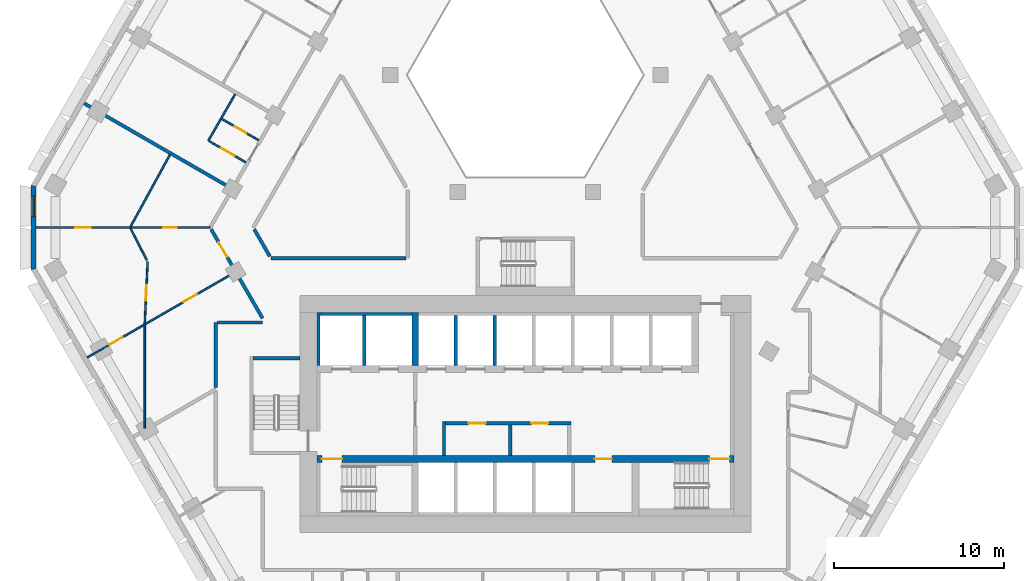
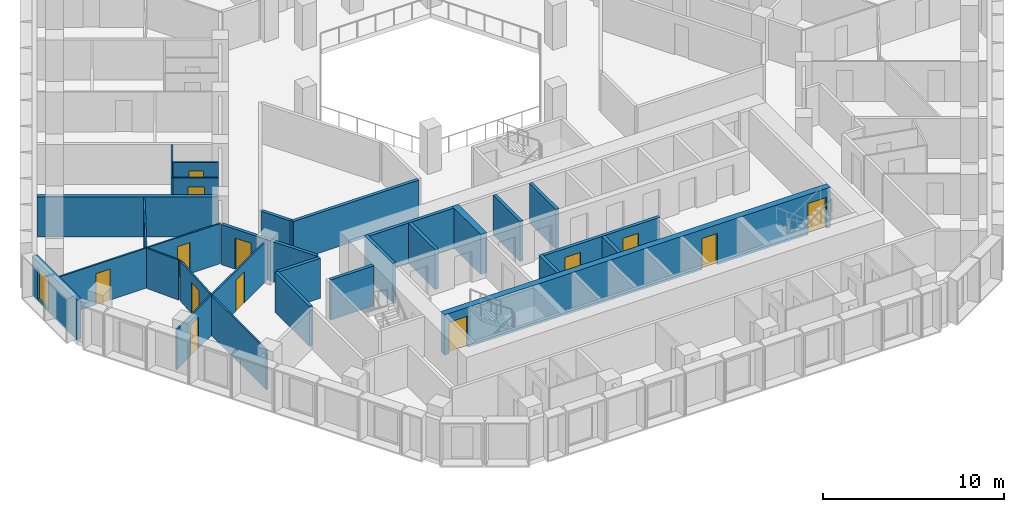
# One storey, part 4 of 15: 27 walls, 13 doors, 1 window, 14 openings.
"""IFC4 building model written with IfcOpenShell, lengths in metres."""

from ifc_helpers import new_model, si_unit, direction, frame, frame_2d, origin, place, context, subcontext, project, spatial, polyline, rectangle, outline, extrude, material, layer, layer_set, type_object, element, fill, save


model = new_model("IFC4")

# Units and contexts
model_context = context("Model", 3, precision=1e-05, world=origin(), true_north=direction((0.0, 1.0)))
body_context = subcontext(model_context, "Body", "Model", "MODEL_VIEW")
ifc_project = project(units=[si_unit("LENGTHUNIT", "METRE"), si_unit("AREAUNIT", "SQUARE_METRE"), si_unit("VOLUMEUNIT", "CUBIC_METRE"), si_unit("PLANEANGLEUNIT", "RADIAN"), si_unit("MASSUNIT", "GRAM", prefix="KILO")], contexts=[model_context])

# Site, building, storey
site_placement = place(None, origin())
site = spatial("IfcSite", under=ifc_project, at=site_placement, CompositionType="ELEMENT")
building_placement = place(site_placement, origin())
building = spatial("IfcBuilding", under=site, at=building_placement, Name="Beryl Residences", CompositionType="ELEMENT")
storey_placement = place(building_placement, frame((0.0, 0.0, 78.0)))
storey = spatial("IfcBuildingStorey", under=building, at=storey_placement, Name="L23", CompositionType="ELEMENT", Elevation=78.0)

# Wall, opening, window
ifc_material_1 = material(Name="Composite metal panel with mineral wool insulation")
ifc_layer_1 = layer(ifc_material_1, 0.300048828125)
ifc_layer_set_1 = layer_set([ifc_layer_1], Name="ES1 pale metal composite panel wall 300 mm")
wall_type_1 = type_object("IfcWallType", Name="ES1 pale metal composite panel wall 300 mm", PredefinedType="SOLIDWALL", material=ifc_layer_set_1)
wall_1_placement = place(storey_placement, frame((-29.007080078125, 1.5, 0.0), z_axis=(0.0, 0.0, 1.0), x_axis=(0.0, -1.0, 0.0)))
wall_1 = element("IfcWall", 1, at=wall_1_placement, inside=storey, type_object=wall_type_1, Name="ES1 external wall L23 NW-SW", PredefinedType="SOLIDWALL", context=body_context, shape_type="SweptSolid", body=[
    extrude(outline(polyline([(0.0, -0.14990234375), (5.0, -0.14990234375), (4.919677734375, 0.14990234375), (0.080322265625, 0.14990234375), (0.0, -0.14990234375)])), origin(), (0.0, 0.0, 1.0), 2.699951171875),
])
opening_1_placement = place(wall_1_placement, frame((0.64990234375, 0.0, 0.14990234375)))
opening_1 = element("IfcOpeningElement", 2, at=opening_1_placement, cuts=wall_1, Name="Opening W2", PredefinedType="OPENING", context=body_context, shape_type="SweptSolid", body=[
    extrude(rectangle(XDim=1.199951171875, YDim=2.10009765625, at=frame_2d((0.60009765625, 1.050048828125))), frame((0.0, 0.159912109375, 0.0), z_axis=(0.0, -1.0, 0.0), x_axis=(1.0, 0.0, 0.0)), (0.0, 0.0, 1.0), 0.320068359375),
])
ifc_material_2 = material(Name="Aluminium and clear glass", Category="aluminium")
window_type = type_object("IfcWindowType", Name="W2 chamfer window 1200 x 2100 mm", PartitioningType="SINGLE_PANEL", PredefinedType="WINDOW", material=ifc_material_2)
window_placement = place(opening_1_placement, origin())
window = element("IfcWindow", 3, at=window_placement, inside=storey, type_object=window_type, Name="W2 window L23 NW-SW 1", OverallHeight=2.10009765625, OverallWidth=1.199951171875, PartitioningType="SINGLE_PANEL", PredefinedType="WINDOW", context=body_context, shape_type="SweptSolid", body=[
    extrude(rectangle(XDim=1.199951171875, YDim=2.10009765625, at=frame_2d((0.60009765625, 1.050048828125))), frame((0.0, 0.030029296875, 0.0), z_axis=(0.0, -1.0, 0.0), x_axis=(1.0, 0.0, 0.0)), (0.0, 0.0, 1.0), 0.06005859375),
])
fill(opening_1, window)

# Wall
ifc_material_3 = material(Name="Gypsum board partition on steel studs", Category="steel")
ifc_layer_2 = layer(ifc_material_3, 0.10009765625)
ifc_layer_set_2 = layer_set([ifc_layer_2], Name="PT1 partition 100 mm gypsum board on steel studs")
wall_type_2 = type_object("IfcWallType", Name="PT1 partition 100 mm gypsum board on steel studs", PredefinedType="PARTITIONING", material=ifc_layer_set_2)
wall_2_placement = place(storey_placement, frame((-23.2890625, -1.053955078125, 0.0), z_axis=(0.0, 0.0, 1.0), x_axis=(0.458226112305, -0.888835659726, 0.0)))
element("IfcWall", 4, at=wall_2_placement, inside=storey, type_object=wall_type_2, Name="Wall PT1 L23 009", PredefinedType="PARTITIONING", context=body_context, shape_type="SweptSolid", body=[
    extrude(rectangle(XDim=2.10400390625, YDim=0.10009765625, at=frame_2d((1.052001953125, 0.0))), origin(), (0.0, 0.0, 1.0), 2.699951171875),
])

# Wall, opening, door
wall_3_placement = place(storey_placement, frame((-17.905029296875, 5.406982421875, 0.0), z_axis=(0.0, 0.0, 1.0), x_axis=(0.866080321209, -0.499904868165, 0.0)))
wall_3 = element("IfcWall", 5, at=wall_3_placement, inside=storey, type_object=wall_type_2, Name="Wall PT1 L23 019", PredefinedType="PARTITIONING", context=body_context, shape_type="SweptSolid", body=[
    extrude(rectangle(XDim=2.51025390625, YDim=0.10009765625, at=frame_2d((1.255126953125, 0.0))), origin(), (0.0, 0.0, 1.0), 2.699951171875),
])
opening_2_placement = place(wall_3_placement, frame((0.8798828125, 0.0, 0.0)))
opening_2 = element("IfcOpeningElement", 6, at=opening_2_placement, cuts=wall_3, Name="Opening D0839", PredefinedType="OPENING", context=body_context, shape_type="SweptSolid", body=[
    extrude(rectangle(XDim=0.800048828125, YDim=2.10009765625, at=frame_2d((0.39990234375, 1.050048828125))), frame((0.0, 0.06005859375, 0.0), z_axis=(0.0, -1.0, 0.0), x_axis=(1.0, 0.0, 0.0)), (0.0, 0.0, 1.0), 0.1201171875),
])
ifc_material_4 = material(Name="Timber door leaf", Category="wood")
door_type_1 = type_object("IfcDoorType", Name="D3 bathroom door 800 x 2100 mm", OperationType="SINGLE_SWING_LEFT", PredefinedType="DOOR", material=ifc_material_4)
door_1_placement = place(opening_2_placement, origin())
door_1 = element("IfcDoor", 7, at=door_1_placement, inside=storey, type_object=door_type_1, Name="Door D0839 L23 001", OperationType="SINGLE_SWING_LEFT", OverallHeight=2.10009765625, OverallWidth=0.800048828125, PredefinedType="DOOR", context=body_context, shape_type="SweptSolid", body=[
    extrude(rectangle(XDim=0.800048828125, YDim=2.10009765625, at=frame_2d((0.39990234375, 1.050048828125))), frame((0.0, 0.02490234375, 0.0), z_axis=(0.0, -1.0, 0.0), x_axis=(1.0, 0.0, 0.0)), (0.0, 0.0, 1.0), 0.050048828125),
])
fill(opening_2, door_1)

wall_4_placement = place(storey_placement, frame((-18.657958984375, 4.10205078125, 0.0), z_axis=(0.0, 0.0, 1.0), x_axis=(0.865916579361, -0.500188442078, 0.0)))
wall_4 = element("IfcWall", 8, at=wall_4_placement, inside=storey, type_object=wall_type_2, Name="Wall PT1 L23 021", PredefinedType="PARTITIONING", context=body_context, shape_type="SweptSolid", body=[
    extrude(rectangle(XDim=2.50927734375, YDim=0.10009765625, at=frame_2d((1.254638671875, 0.0))), origin(), (0.0, 0.0, 1.0), 2.699951171875),
])
opening_3_placement = place(wall_4_placement, frame((0.8291015625, 0.0, 0.0)))
opening_3 = element("IfcOpeningElement", 9, at=opening_3_placement, cuts=wall_4, Name="Opening D0838", PredefinedType="OPENING", context=body_context, shape_type="SweptSolid", body=[
    extrude(rectangle(XDim=0.89990234375, YDim=2.10009765625, at=frame_2d((0.449951171875, 1.050048828125))), frame((0.0, 0.06005859375, 0.0), z_axis=(0.0, -1.0, 0.0), x_axis=(1.0, 0.0, 0.0)), (0.0, 0.0, 1.0), 0.1201171875),
])
ifc_material_5 = material(Name="Timber door leaf", Category="wood")
door_type_2 = type_object("IfcDoorType", Name="D2 room door 900 x 2100 mm", OperationType="SINGLE_SWING_LEFT", PredefinedType="DOOR", material=ifc_material_5)
door_2_placement = place(opening_3_placement, origin())
door_2 = element("IfcDoor", 10, at=door_2_placement, inside=storey, type_object=door_type_2, Name="Door D0838 L23 001", OperationType="SINGLE_SWING_RIGHT", OverallHeight=2.10009765625, OverallWidth=0.89990234375, PredefinedType="DOOR", context=body_context, shape_type="SweptSolid", body=[
    extrude(rectangle(XDim=0.89990234375, YDim=2.10009765625, at=frame_2d((0.449951171875, 1.050048828125))), frame((0.0, 0.02490234375, 0.0), z_axis=(0.0, -1.0, 0.0), x_axis=(1.0, 0.0, 0.0)), (0.0, 0.0, 1.0), 0.050048828125),
])
fill(opening_3, door_2)

# Wall, openings, doors
wall_5_placement = place(storey_placement, frame((-28.85693359375, -1.0009765625, 0.0), z_axis=(0.0, 0.0, 1.0), x_axis=(1.0, 0.0, 0.0)))
wall_5 = element("IfcWall", 11, at=wall_5_placement, inside=storey, type_object=wall_type_2, Name="Wall PT1 L23 027", PredefinedType="PARTITIONING", context=body_context, shape_type="SweptSolid", body=[
    extrude(rectangle(XDim=10.265869140625, YDim=0.10009765625, at=frame_2d((5.1328125, 0.0))), origin(), (0.0, 0.0, 1.0), 2.699951171875),
])
opening_4_placement = place(wall_5_placement, frame((7.5029296875, 0.0, 0.0)))
opening_4 = element("IfcOpeningElement", 12, at=opening_4_placement, cuts=wall_5, Name="Opening D0842", PredefinedType="OPENING", context=body_context, shape_type="SweptSolid", body=[
    extrude(rectangle(XDim=0.800048828125, YDim=2.10009765625, at=frame_2d((0.39990234375, 1.050048828125))), frame((0.0, 0.06005859375, 0.0), z_axis=(0.0, -1.0, 0.0), x_axis=(1.0, 0.0, 0.0)), (0.0, 0.0, 1.0), 0.1201171875),
])
opening_5_placement = place(wall_5_placement, frame((2.320068359375, 0.0, 0.0)))
opening_5 = element("IfcOpeningElement", 13, at=opening_5_placement, cuts=wall_5, Name="Opening D0844", PredefinedType="OPENING", context=body_context, shape_type="SweptSolid", body=[
    extrude(rectangle(XDim=0.89990234375, YDim=2.10009765625, at=frame_2d((0.449951171875, 1.050048828125))), frame((0.0, 0.06005859375, 0.0), z_axis=(0.0, -1.0, 0.0), x_axis=(1.0, 0.0, 0.0)), (0.0, 0.0, 1.0), 0.1201171875),
])
door_3_placement = place(opening_5_placement, origin())
door_3 = element("IfcDoor", 14, at=door_3_placement, inside=storey, type_object=door_type_2, Name="Door D0844 L23 001", OperationType="SINGLE_SWING_RIGHT", OverallHeight=2.10009765625, OverallWidth=0.89990234375, PredefinedType="DOOR", context=body_context, shape_type="SweptSolid", body=[
    extrude(rectangle(XDim=0.89990234375, YDim=2.10009765625, at=frame_2d((0.449951171875, 1.050048828125))), frame((0.0, 0.02490234375, 0.0), z_axis=(0.0, -1.0, 0.0), x_axis=(1.0, 0.0, 0.0)), (0.0, 0.0, 1.0), 0.050048828125),
])
fill(opening_5, door_3)
door_4_placement = place(opening_4_placement, origin())
door_4 = element("IfcDoor", 15, at=door_4_placement, inside=storey, type_object=door_type_1, Name="Door D0842 L23 001", OperationType="SINGLE_SWING_RIGHT", OverallHeight=2.10009765625, OverallWidth=0.800048828125, PredefinedType="DOOR", context=body_context, shape_type="SweptSolid", body=[
    extrude(rectangle(XDim=0.800048828125, YDim=2.10009765625, at=frame_2d((0.39990234375, 1.050048828125))), frame((0.0, 0.02490234375, 0.0), z_axis=(0.0, -1.0, 0.0), x_axis=(1.0, 0.0, 0.0)), (0.0, 0.0, 1.0), 0.050048828125),
])
fill(opening_4, door_4)

# Walls
wall_6_placement = place(storey_placement, frame((-18.700927734375, 4.1279296875, 0.0), z_axis=(0.0, 0.0, 1.0), x_axis=(0.500023029176, 0.866012107475, 0.0)))
element("IfcWall", 16, at=wall_6_placement, inside=storey, type_object=wall_type_2, Name="Wall PT1 L23 035", PredefinedType="PARTITIONING", context=body_context, shape_type="SweptSolid", body=[
    extrude(rectangle(XDim=3.163818359375, YDim=0.10009765625, at=frame_2d((1.58203125, 0.0))), origin(), (0.0, 0.0, 1.0), 2.699951171875),
])
wall_7_placement = place(storey_placement, frame((-23.2890625, -0.950927734375, 0.0), z_axis=(0.0, 0.0, 1.0), x_axis=(0.481164463081, 0.876630343684, 0.0)))
element("IfcWall", 17, at=wall_7_placement, inside=storey, type_object=wall_type_2, Name="Wall PT1 L23 039", PredefinedType="PARTITIONING", context=body_context, shape_type="SweptSolid", body=[
    extrude(rectangle(XDim=4.83447265625, YDim=0.10009765625, at=frame_2d((2.417236328125, 0.0))), origin(), (0.0, 0.0, 1.0), 2.699951171875),
])

# Wall, opening, door
wall_8_placement = place(storey_placement, frame((-22.447021484375, -6.65087890625, 0.0), z_axis=(0.0, 0.0, 1.0), x_axis=(0.046122262393, 0.998935802197, 0.0)))
wall_8 = element("IfcWall", 18, at=wall_8_placement, inside=storey, type_object=wall_type_2, Name="Wall PT1 L23 045", PredefinedType="PARTITIONING", context=body_context, shape_type="SweptSolid", body=[
    extrude(rectangle(XDim=3.641845703125, YDim=0.10009765625, at=frame_2d((1.82080078125, 0.0))), origin(), (0.0, 0.0, 1.0), 2.699951171875),
])
opening_6_placement = place(wall_8_placement, frame((1.341064453125, 0.0, 0.0)))
opening_6 = element("IfcOpeningElement", 19, at=opening_6_placement, cuts=wall_8, Name="Opening D0843", PredefinedType="OPENING", context=body_context, shape_type="SweptSolid", body=[
    extrude(rectangle(XDim=0.89990234375, YDim=2.10009765625, at=frame_2d((0.449951171875, 1.050048828125))), frame((0.0, 0.06005859375, 0.0), z_axis=(0.0, -1.0, 0.0), x_axis=(1.0, 0.0, 0.0)), (0.0, 0.0, 1.0), 0.1201171875),
])
door_5_placement = place(opening_6_placement, origin())
door_5 = element("IfcDoor", 20, at=door_5_placement, inside=storey, type_object=door_type_2, Name="Door D0843 L23 001", OperationType="SINGLE_SWING_LEFT", OverallHeight=2.10009765625, OverallWidth=0.89990234375, PredefinedType="DOOR", context=body_context, shape_type="SweptSolid", body=[
    extrude(rectangle(XDim=0.89990234375, YDim=2.10009765625, at=frame_2d((0.449951171875, 1.050048828125))), frame((0.0, 0.02490234375, 0.0), z_axis=(0.0, -1.0, 0.0), x_axis=(1.0, 0.0, 0.0)), (0.0, 0.0, 1.0), 0.050048828125),
])
fill(opening_6, door_5)

# Wall
wall_9_placement = place(storey_placement, frame((-22.449951171875, -12.845947265625, 0.0), z_axis=(0.0, 0.0, 1.0), x_axis=(0.0, 1.0, 0.0)))
element("IfcWall", 21, at=wall_9_placement, inside=storey, type_object=wall_type_2, Name="Wall PT1 L23 059", PredefinedType="PARTITIONING", context=body_context, shape_type="SweptSolid", body=[
    extrude(rectangle(XDim=6.077880859375, YDim=0.10009765625, at=frame_2d((3.0390625, 0.0))), origin(), (0.0, 0.0, 1.0), 2.699951171875),
])

# Wall, openings, doors
wall_10_placement = place(storey_placement, frame((-25.830078125, -8.662109375, 0.0), z_axis=(0.0, 0.0, 1.0), x_axis=(0.866022959057, 0.500004234368, 0.0)))
wall_10 = element("IfcWall", 22, at=wall_10_placement, inside=storey, type_object=wall_type_2, Name="Wall PT1 L23 065", PredefinedType="PARTITIONING", context=body_context, shape_type="SweptSolid", body=[
    extrude(rectangle(XDim=10.0, YDim=0.10009765625, at=frame_2d((5.0, 0.0))), origin(), (0.0, 0.0, 1.0), 2.699951171875),
])
opening_7_placement = place(wall_10_placement, frame((6.551025390625, 0.0, 0.0)))
opening_7 = element("IfcOpeningElement", 23, at=opening_7_placement, cuts=wall_10, Name="Opening D0841", PredefinedType="OPENING", context=body_context, shape_type="SweptSolid", body=[
    extrude(rectangle(XDim=0.89990234375, YDim=2.10009765625, at=frame_2d((0.449951171875, 1.050048828125))), frame((0.0, 0.06005859375, 0.0), z_axis=(0.0, -1.0, 0.0), x_axis=(1.0, 0.0, 0.0)), (0.0, 0.0, 1.0), 0.1201171875),
])
opening_8_placement = place(wall_10_placement, frame((1.5009765625, 0.0, 0.0)))
opening_8 = element("IfcOpeningElement", 24, at=opening_8_placement, cuts=wall_10, Name="Opening D0845", PredefinedType="OPENING", context=body_context, shape_type="SweptSolid", body=[
    extrude(rectangle(XDim=0.89990234375, YDim=2.10009765625, at=frame_2d((0.449951171875, 1.050048828125))), frame((0.0, 0.06005859375, 0.0), z_axis=(0.0, -1.0, 0.0), x_axis=(1.0, 0.0, 0.0)), (0.0, 0.0, 1.0), 0.1201171875),
])
door_6_placement = place(opening_7_placement, origin())
door_6 = element("IfcDoor", 25, at=door_6_placement, inside=storey, type_object=door_type_2, Name="Door D0841 L23 001", OperationType="SINGLE_SWING_LEFT", OverallHeight=2.10009765625, OverallWidth=0.89990234375, PredefinedType="DOOR", context=body_context, shape_type="SweptSolid", body=[
    extrude(rectangle(XDim=0.89990234375, YDim=2.10009765625, at=frame_2d((0.449951171875, 1.050048828125))), frame((0.0, 0.02490234375, 0.0), z_axis=(0.0, -1.0, 0.0), x_axis=(1.0, 0.0, 0.0)), (0.0, 0.0, 1.0), 0.050048828125),
])
fill(opening_7, door_6)
door_7_placement = place(opening_8_placement, origin())
door_7 = element("IfcDoor", 26, at=door_7_placement, inside=storey, type_object=door_type_2, Name="Door D0845 L23 001", OperationType="SINGLE_SWING_LEFT", OverallHeight=2.10009765625, OverallWidth=0.89990234375, PredefinedType="DOOR", context=body_context, shape_type="SweptSolid", body=[
    extrude(rectangle(XDim=0.89990234375, YDim=2.10009765625, at=frame_2d((0.449951171875, 1.050048828125))), frame((0.0, 0.02490234375, 0.0), z_axis=(0.0, -1.0, 0.0), x_axis=(1.0, 0.0, 0.0)), (0.0, 0.0, 1.0), 0.050048828125),
])
fill(opening_8, door_7)

# Wall
ifc_material_6 = material(Name="Concrete masonry", Category="masonry")
ifc_layer_3 = layer(ifc_material_6, 0.199951171875)
ifc_layer_set_3 = layer_set([ifc_layer_3], Name="PT13 lobby wall 200 mm")
wall_type_3 = type_object("IfcWallType", Name="PT13 lobby wall 200 mm", PredefinedType="PARTITIONING", material=ifc_layer_set_3)
wall_11_placement = place(storey_placement, frame((-4.800048828125, -14.449951171875, 0.0), z_axis=(0.0, 0.0, 1.0), x_axis=(0.0, 1.0, 0.0)))
element("IfcWall", 27, at=wall_11_placement, inside=storey, type_object=wall_type_3, Name="Lobby wall 14", PredefinedType="PARTITIONING", context=body_context, shape_type="SweptSolid", body=[
    extrude(rectangle(XDim=2.0, YDim=0.199951171875, at=frame_2d((1.0, 0.0))), origin(), (0.0, 0.0, 1.0), 2.699951171875),
])

# Wall, openings, doors
wall_12_placement = place(storey_placement, frame((-4.699951171875, -12.550048828125, 0.0), z_axis=(0.0, 0.0, 1.0), x_axis=(1.0, 0.0, 0.0)))
wall_12 = element("IfcWall", 28, at=wall_12_placement, inside=storey, type_object=wall_type_3, Name="Lobby wall 15", PredefinedType="PARTITIONING", context=body_context, shape_type="SweptSolid", body=[
    extrude(rectangle(XDim=7.39990234375, YDim=0.199951171875, at=frame_2d((3.699951171875, 0.0))), origin(), (0.0, 0.0, 1.0), 2.699951171875),
])
opening_9_placement = place(wall_12_placement, frame((2.35009765625, 0.0, 0.0), z_axis=(0.0, 0.0, 1.0), x_axis=(-1.0, 0.0, 0.0)))
opening_9 = element("IfcOpeningElement", 29, at=opening_9_placement, cuts=wall_12, Name="Opening CD-D-A1", PredefinedType="OPENING", context=body_context, shape_type="SweptSolid", body=[
    extrude(rectangle(XDim=1.0, YDim=2.10009765625, at=frame_2d((0.5, 1.050048828125))), frame((0.0, 0.10986328125, 0.0), z_axis=(0.0, -1.0, 0.0), x_axis=(1.0, 0.0, 0.0)), (0.0, 0.0, 1.0), 0.219970703125),
])
opening_10_placement = place(wall_12_placement, frame((6.050048828125, 0.0, 0.0), z_axis=(0.0, 0.0, 1.0), x_axis=(-1.0, 0.0, 0.0)))
opening_10 = element("IfcOpeningElement", 30, at=opening_10_placement, cuts=wall_12, Name="Opening CD-D-A2", PredefinedType="OPENING", context=body_context, shape_type="SweptSolid", body=[
    extrude(rectangle(XDim=1.0, YDim=2.10009765625, at=frame_2d((0.5, 1.050048828125))), frame((0.0, 0.10986328125, 0.0), z_axis=(0.0, -1.0, 0.0), x_axis=(1.0, 0.0, 0.0)), (0.0, 0.0, 1.0), 0.219970703125),
])
ifc_material_7 = material(Name="Steel door leaf in steel frame", Category="steel")
door_type_3 = type_object("IfcDoorType", Name="D18 service room door 1000 x 2100 mm", OperationType="SINGLE_SWING_LEFT", PredefinedType="DOOR", material=ifc_material_7)
door_8_placement = place(opening_9_placement, origin())
door_8 = element("IfcDoor", 31, at=door_8_placement, inside=storey, type_object=door_type_3, Name="Door CD-D-A1 L23 001", OperationType="SINGLE_SWING_RIGHT", OverallHeight=2.10009765625, OverallWidth=1.0, PredefinedType="DOOR", context=body_context, shape_type="SweptSolid", body=[
    extrude(rectangle(XDim=1.0, YDim=2.10009765625, at=frame_2d((0.5, 1.050048828125))), frame((0.0, 0.02490234375, 0.0), z_axis=(0.0, -1.0, 0.0), x_axis=(1.0, 0.0, 0.0)), (0.0, 0.0, 1.0), 0.050048828125),
])
fill(opening_9, door_8)
door_9_placement = place(opening_10_placement, origin())
door_9 = element("IfcDoor", 32, at=door_9_placement, inside=storey, type_object=door_type_3, Name="Door CD-D-A2 L23 001", OperationType="SINGLE_SWING_LEFT", OverallHeight=2.10009765625, OverallWidth=1.0, PredefinedType="DOOR", context=body_context, shape_type="SweptSolid", body=[
    extrude(rectangle(XDim=1.0, YDim=2.10009765625, at=frame_2d((0.5, 1.050048828125))), frame((0.0, 0.02490234375, 0.0), z_axis=(0.0, -1.0, 0.0), x_axis=(1.0, 0.0, 0.0)), (0.0, 0.0, 1.0), 0.050048828125),
])
fill(opening_10, door_9)

# Walls
ifc_material_8 = material(Name="Acoustic double stud gypsum board wall")
ifc_layer_4 = layer(ifc_material_8, 0.199951171875)
ifc_layer_set_4 = layer_set([ifc_layer_4], Name="PT3 party wall 200 mm acoustic double stud")
wall_type_4 = type_object("IfcWallType", Name="PT3 party wall 200 mm acoustic double stud", PredefinedType="PARTITIONING", material=ifc_layer_set_4)
wall_13_placement = place(storey_placement, frame((-26.02490234375, 6.324951171875, 0.0), z_axis=(0.0, 0.0, 1.0), x_axis=(0.866041268327, -0.499972520799, 0.0)))
element("IfcWall", 33, at=wall_13_placement, inside=storey, type_object=wall_type_4, Name="Wall PT3 L23 003", PredefinedType="PARTITIONING", context=body_context, shape_type="SweptSolid", body=[
    extrude(rectangle(XDim=10.00048828125, YDim=0.199951171875, at=frame_2d((5.000244140625, 0.0))), origin(), (0.0, 0.0, 1.0), 2.699951171875),
])
ifc_material_9 = material(Name="Double stud gypsum board wall")
ifc_layer_5 = layer(ifc_material_9, 0.199951171875)
ifc_layer_set_5 = layer_set([ifc_layer_5], Name="PT4 corridor wall 200 mm double stud")
wall_type_5 = type_object("IfcWallType", Name="PT4 corridor wall 200 mm double stud", PredefinedType="PARTITIONING", material=ifc_layer_set_5)
wall_14_placement = place(storey_placement, frame((-15.992919921875, -1.10107421875, 0.0), z_axis=(0.0, 0.0, 1.0), x_axis=(0.499894174133, -0.866086493757, 0.0)))
element("IfcWall", 34, at=wall_14_placement, inside=storey, type_object=wall_type_5, Name="Wall PT4 L23 002", PredefinedType="PARTITIONING", context=body_context, shape_type="SweptSolid", body=[
    extrude(rectangle(XDim=1.84619140625, YDim=0.199951171875, at=frame_2d((0.923095703125, 0.0))), origin(), (0.0, 0.0, 1.0), 2.699951171875),
])

# Wall, opening, door
wall_15_placement = place(storey_placement, frame((-18.532958984375, -1.10107421875, 0.0), z_axis=(0.0, 0.0, 1.0), x_axis=(0.500022085096, -0.866012652573, 0.0)))
wall_15 = element("IfcWall", 35, at=wall_15_placement, inside=storey, type_object=wall_type_5, Name="Wall PT4 L23 003", PredefinedType="PARTITIONING", context=body_context, shape_type="SweptSolid", body=[
    extrude(rectangle(XDim=6.065673828125, YDim=0.199951171875, at=frame_2d((3.03271484375, 0.0))), origin(), (0.0, 0.0, 1.0), 2.699951171875),
])
opening_11_placement = place(wall_15_placement, frame((0.89208984375, 0.0, 0.0)))
opening_11 = element("IfcOpeningElement", 36, at=opening_11_placement, cuts=wall_15, Name="Opening D0840", PredefinedType="OPENING", context=body_context, shape_type="SweptSolid", body=[
    extrude(rectangle(XDim=1.0, YDim=2.10009765625, at=frame_2d((0.5, 1.050048828125))), frame((0.0, 0.10986328125, 0.0), z_axis=(0.0, -1.0, 0.0), x_axis=(1.0, 0.0, 0.0)), (0.0, 0.0, 1.0), 0.219970703125),
])
ifc_material_10 = material(Name="Timber door leaf", Category="wood")
door_type_4 = type_object("IfcDoorType", Name="D1 flat entrance door 1000 x 2100 mm", OperationType="SINGLE_SWING_LEFT", PredefinedType="DOOR", material=ifc_material_10)
door_10_placement = place(opening_11_placement, origin())
door_10 = element("IfcDoor", 37, at=door_10_placement, inside=storey, type_object=door_type_4, Name="Door D0840 L23 001", OperationType="SINGLE_SWING_RIGHT", OverallHeight=2.10009765625, OverallWidth=1.0, PredefinedType="DOOR", context=body_context, shape_type="SweptSolid", body=[
    extrude(rectangle(XDim=1.0, YDim=2.10009765625, at=frame_2d((0.5, 1.050048828125))), frame((0.0, 0.02490234375, 0.0), z_axis=(0.0, -1.0, 0.0), x_axis=(1.0, 0.0, 0.0)), (0.0, 0.0, 1.0), 0.050048828125),
])
fill(opening_11, door_10)

# Walls
wall_16_placement = place(storey_placement, frame((-18.14990234375, -6.60009765625, 0.0), z_axis=(0.0, 0.0, 1.0), x_axis=(1.0, 0.0, 0.0)))
element("IfcWall", 38, at=wall_16_placement, inside=storey, type_object=wall_type_5, Name="Wall PT4 L23 014", PredefinedType="PARTITIONING", context=body_context, shape_type="SweptSolid", body=[
    extrude(rectangle(XDim=2.64892578125, YDim=0.199951171875, at=frame_2d((1.324462890625, 0.0))), origin(), (0.0, 0.0, 1.0), 2.699951171875),
])
wall_17_placement = place(storey_placement, frame((-15.010986328125, -2.800048828125, 0.0), z_axis=(0.0, 0.0, 1.0), x_axis=(1.0, 0.0, 0.0)))
element("IfcWall", 39, at=wall_17_placement, inside=storey, type_object=wall_type_5, Name="Wall PT4 L23 018", PredefinedType="PARTITIONING", context=body_context, shape_type="SweptSolid", body=[
    extrude(rectangle(XDim=7.98193359375, YDim=0.199951171875, at=frame_2d((3.990966796875, 0.0))), origin(), (0.0, 0.0, 1.0), 2.699951171875),
])
wall_18_placement = place(storey_placement, frame((-18.25, -10.4208984375, 0.0), z_axis=(0.0, 0.0, 1.0), x_axis=(0.0, 1.0, 0.0)))
element("IfcWall", 40, at=wall_18_placement, inside=storey, type_object=wall_type_5, Name="Wall PT4 L23 035", PredefinedType="PARTITIONING", context=body_context, shape_type="SweptSolid", body=[
    extrude(rectangle(XDim=3.82080078125, YDim=0.199951171875, at=frame_2d((1.910400390625, 0.0))), origin(), (0.0, 0.0, 1.0), 2.699951171875),
])
ifc_material_11 = material(Name="Concrete C40/50", Category="concrete")
ifc_layer_6 = layer(ifc_material_11, 0.199951171875)
ifc_layer_set_6 = layer_set([ifc_layer_6], Name="PT5 stair enclosure wall 200 mm reinforced concrete C40/50")
wall_type_6 = type_object("IfcWallType", Name="PT5 stair enclosure wall 200 mm reinforced concrete C40/50", PredefinedType="SOLIDWALL", material=ifc_layer_set_6)
wall_19_placement = place(storey_placement, frame((-16.050048828125, -8.699951171875, 0.0), z_axis=(0.0, 0.0, 1.0), x_axis=(1.0, 0.0, 0.0)))
element("IfcWall", 41, at=wall_19_placement, inside=storey, type_object=wall_type_6, Name="Stair wall 03", PredefinedType="SOLIDWALL", context=body_context, shape_type="SweptSolid", body=[
    extrude(rectangle(XDim=2.75, YDim=0.199951171875, at=frame_2d((1.375, 0.0))), origin(), (0.0, 0.0, 1.0), 2.699951171875),
])
ifc_material_12 = material(Name="Concrete C40/50", Category="concrete")
ifc_layer_7 = layer(ifc_material_12, 0.199951171875)
ifc_layer_set_7 = layer_set([ifc_layer_7], Name="PT6 lift shaft wall 200 mm reinforced concrete C40/50")
wall_type_7 = type_object("IfcWallType", Name="PT6 lift shaft wall 200 mm reinforced concrete C40/50", PredefinedType="SOLIDWALL", material=ifc_layer_set_7)
wall_20_placement = place(storey_placement, frame((-12.199951171875, -9.14990234375, 0.0), z_axis=(0.0, 0.0, 1.0), x_axis=(0.0, 1.0, 0.0)))
element("IfcWall", 42, at=wall_20_placement, inside=storey, type_object=wall_type_7, Name="Lift shaft wall 06", PredefinedType="SOLIDWALL", context=body_context, shape_type="SweptSolid", body=[
    extrude(rectangle(XDim=3.14990234375, YDim=0.199951171875, at=frame_2d((1.574951171875, 0.0))), origin(), (0.0, 0.0, 1.0), 2.699951171875),
])
wall_21_placement = place(storey_placement, frame((-12.10009765625, -6.10009765625, 0.0), z_axis=(0.0, 0.0, 1.0), x_axis=(1.0, 0.0, 0.0)))
element("IfcWall", 43, at=wall_21_placement, inside=storey, type_object=wall_type_7, Name="Lift shaft wall 08", PredefinedType="SOLIDWALL", context=body_context, shape_type="SweptSolid", body=[
    extrude(rectangle(XDim=5.400146484375, YDim=0.199951171875, at=frame_2d((2.7001953125, 0.0))), origin(), (0.0, 0.0, 1.0), 2.699951171875),
])
for number, where, z_axis, x_axis, name in (
    (44, (-9.5, -9.14990234375, 0.0), (0.0, 0.0, 1.0), (0.0, 1.0, 0.0), "Lift shaft wall 10"),
    (45, (-4.10009765625, -9.14990234375, 0.0), (0.0, 0.0, 1.0), (0.0, 1.0, 0.0), "Lift shaft wall 17"),
    (46, (-1.800048828125, -9.14990234375, 0.0), (0.0, 0.0, 1.0), (0.0, 1.0, 0.0), "Lift shaft wall 19"),
):
    element("IfcWall", number, at=place(storey_placement, frame(where, z_axis=z_axis, x_axis=x_axis)), inside=storey, type_object=wall_type_7, Name=name, PredefinedType="SOLIDWALL", context=body_context, shape_type="SweptSolid", body=[
        extrude(rectangle(XDim=2.949951171875, YDim=0.199951171875, at=frame_2d((1.47509765625, 0.0))), origin(), (0.0, 0.0, 1.0), 2.699951171875),
    ])
ifc_material_13 = material(Name="Concrete masonry", Category="masonry")
ifc_layer_8 = layer(ifc_material_13, 0.199951171875)
ifc_layer_set_8 = layer_set([ifc_layer_8], Name="PT8-200 service room wall 200 mm")
wall_type_8 = type_object("IfcWallType", Name="PT8-200 service room wall 200 mm", PredefinedType="PARTITIONING", material=ifc_layer_set_8)
wall_22_placement = place(storey_placement, frame((-0.89990234375, -14.449951171875, 0.0), z_axis=(0.0, 0.0, 1.0), x_axis=(0.0, 1.0, 0.0)))
element("IfcWall", 47, at=wall_22_placement, inside=storey, type_object=wall_type_8, Name="Core room wall 20", PredefinedType="PARTITIONING", context=body_context, shape_type="SweptSolid", body=[
    extrude(rectangle(XDim=1.800048828125, YDim=0.199951171875, at=frame_2d((0.89990234375, 0.0))), origin(), (0.0, 0.0, 1.0), 2.699951171875),
])

# Wall, openings, doors
ifc_material_14 = material(Name="Concrete C70/85", Category="concrete")
ifc_layer_9 = layer(ifc_material_14, 0.39990234375)
ifc_layer_set_9 = layer_set([ifc_layer_9], Name="SW7 core internal wall 400 mm C70/85")
wall_type_9 = type_object("IfcWallType", Name="SW7 core internal wall 400 mm C70/85", PredefinedType="SHEAR", material=ifc_layer_set_9)
wall_23_placement = place(storey_placement, frame((-12.300048828125, -14.64990234375, 0.0), z_axis=(0.0, 0.0, 1.0), x_axis=(1.0, 0.0, 0.0)))
wall_23 = element("IfcWall", 48, at=wall_23_placement, inside=storey, type_object=wall_type_9, Name="Core wall SP1 L23", PredefinedType="SHEAR", context=body_context, shape_type="SweptSolid", body=[
    extrude(rectangle(XDim=24.60009765625, YDim=0.39990234375, at=frame_2d((12.300048828125, 0.0))), origin(), (0.0, 0.0, 1.0), 2.699951171875),
])
opening_12_placement = place(wall_23_placement, frame((1.5, 0.0, 0.0), z_axis=(0.0, 0.0, 1.0), x_axis=(-1.0, 0.0, 0.0)))
opening_12 = element("IfcOpeningElement", 49, at=opening_12_placement, cuts=wall_23, Name="Opening SD-1", PredefinedType="OPENING", context=body_context, shape_type="SweptSolid", body=[
    extrude(rectangle(XDim=1.199951171875, YDim=2.10009765625, at=frame_2d((0.60009765625, 1.050048828125))), frame((0.0, 0.2099609375, 0.0), z_axis=(0.0, -1.0, 0.0), x_axis=(1.0, 0.0, 0.0)), (0.0, 0.0, 1.0), 0.419921875),
])
opening_13_placement = place(wall_23_placement, frame((24.349853515625, 0.0, 0.0), z_axis=(0.0, 0.0, 1.0), x_axis=(-1.0, 0.0, 0.0)))
opening_13 = element("IfcOpeningElement", 50, at=opening_13_placement, cuts=wall_23, Name="Opening SD-3", PredefinedType="OPENING", context=body_context, shape_type="SweptSolid", body=[
    extrude(rectangle(XDim=1.199951171875, YDim=2.10009765625, at=frame_2d((0.60009765625, 1.050048828125))), frame((0.0, 0.2099609375, 0.0), z_axis=(0.0, -1.0, 0.0), x_axis=(1.0, 0.0, 0.0)), (0.0, 0.0, 1.0), 0.419921875),
])
opening_14_placement = place(wall_23_placement, frame((17.39990234375, 0.0, 0.0), z_axis=(0.0, 0.0, 1.0), x_axis=(-1.0, 0.0, 0.0)))
opening_14 = element("IfcOpeningElement", 51, at=opening_14_placement, cuts=wall_23, Name="Opening CD-D-S1", PredefinedType="OPENING", context=body_context, shape_type="SweptSolid", body=[
    extrude(rectangle(XDim=1.0, YDim=2.10009765625, at=frame_2d((0.5, 1.050048828125))), frame((0.0, 0.2099609375, 0.0), z_axis=(0.0, -1.0, 0.0), x_axis=(1.0, 0.0, 0.0)), (0.0, 0.0, 1.0), 0.419921875),
])
door_11_placement = place(opening_14_placement, origin())
door_11 = element("IfcDoor", 52, at=door_11_placement, inside=storey, type_object=door_type_3, Name="Door CD-D-S1 L23 001", OperationType="SINGLE_SWING_RIGHT", OverallHeight=2.10009765625, OverallWidth=1.0, PredefinedType="DOOR", context=body_context, shape_type="SweptSolid", body=[
    extrude(rectangle(XDim=1.0, YDim=2.10009765625, at=frame_2d((0.5, 1.050048828125))), frame((0.0, 0.02490234375, 0.0), z_axis=(0.0, -1.0, 0.0), x_axis=(1.0, 0.0, 0.0)), (0.0, 0.0, 1.0), 0.050048828125),
])
fill(opening_14, door_11)
ifc_material_15 = material(Name="Steel door leaf in steel frame", Category="steel")
door_type_5 = type_object("IfcDoorType", Name="D4 stair door 1200 x 2100 mm", OperationType="SINGLE_SWING_LEFT", PredefinedType="DOOR", material=ifc_material_15)
door_12_placement = place(opening_12_placement, origin())
door_12 = element("IfcDoor", 53, at=door_12_placement, inside=storey, type_object=door_type_5, Name="Door SD-1 L23 001", OperationType="SINGLE_SWING_RIGHT", OverallHeight=2.10009765625, OverallWidth=1.199951171875, PredefinedType="DOOR", context=body_context, shape_type="SweptSolid", body=[
    extrude(rectangle(XDim=1.199951171875, YDim=2.10009765625, at=frame_2d((0.60009765625, 1.050048828125))), frame((0.0, 0.02490234375, 0.0), z_axis=(0.0, -1.0, 0.0), x_axis=(1.0, 0.0, 0.0)), (0.0, 0.0, 1.0), 0.050048828125),
])
fill(opening_12, door_12)
door_13_placement = place(opening_13_placement, origin())
door_13 = element("IfcDoor", 54, at=door_13_placement, inside=storey, type_object=door_type_5, Name="Door SD-3 L23 001", OperationType="SINGLE_SWING_RIGHT", OverallHeight=2.10009765625, OverallWidth=1.199951171875, PredefinedType="DOOR", context=body_context, shape_type="SweptSolid", body=[
    extrude(rectangle(XDim=1.199951171875, YDim=2.10009765625, at=frame_2d((0.60009765625, 1.050048828125))), frame((0.0, 0.02490234375, 0.0), z_axis=(0.0, -1.0, 0.0), x_axis=(1.0, 0.0, 0.0)), (0.0, 0.0, 1.0), 0.050048828125),
])
fill(opening_13, door_13)

# Wall
wall_24_placement = place(storey_placement, frame((-6.5, -9.14990234375, 0.0), z_axis=(0.0, 0.0, 1.0), x_axis=(0.0, 1.0, 0.0)))
element("IfcWall", 55, at=wall_24_placement, inside=storey, type_object=wall_type_9, Name="Core wall XN1 L23", PredefinedType="SHEAR", context=body_context, shape_type="SweptSolid", body=[
    extrude(rectangle(XDim=3.14990234375, YDim=0.39990234375, at=frame_2d((1.574951171875, 0.0))), origin(), (0.0, 0.0, 1.0), 2.699951171875),
])

save(model, "model.ifc")
